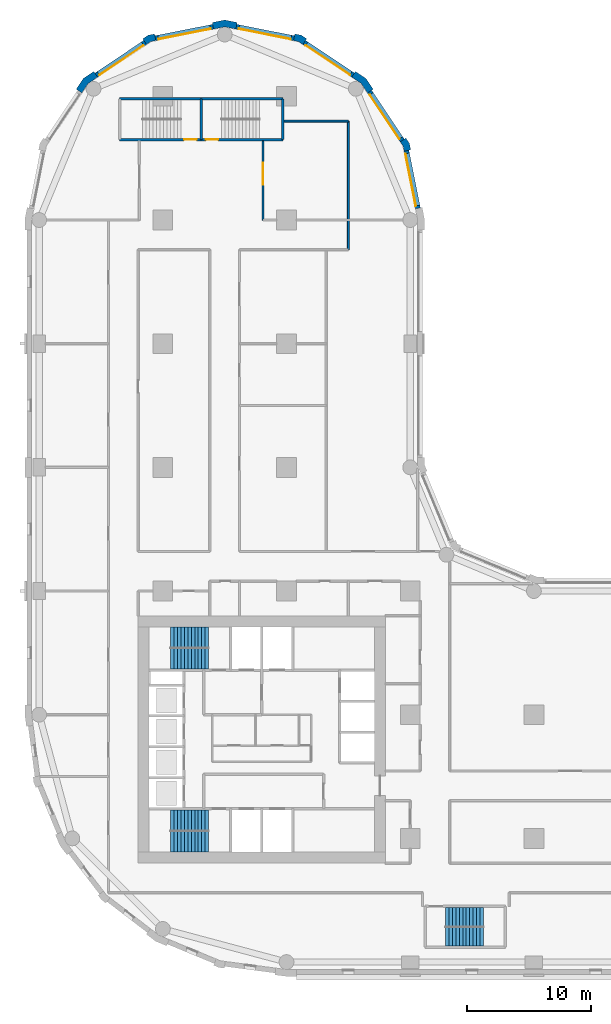
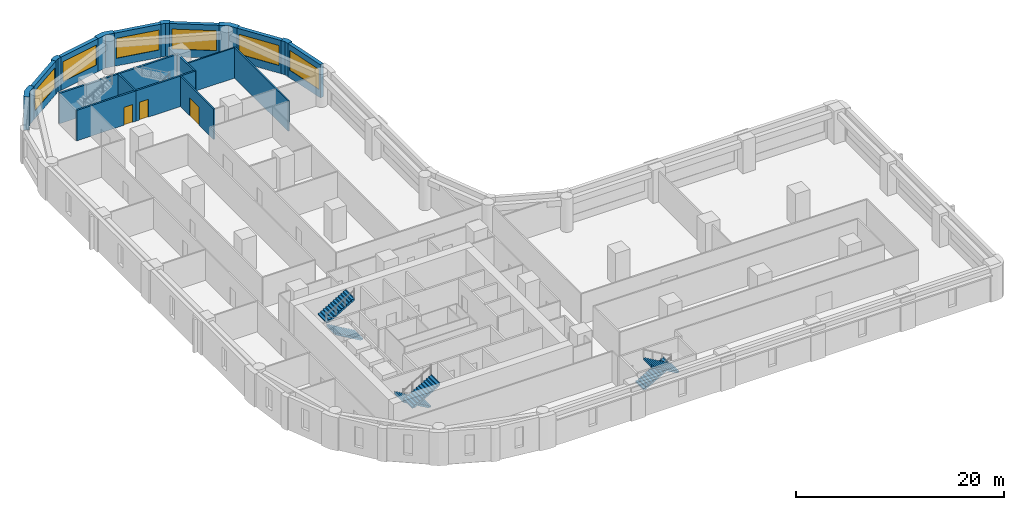
# One storey, part 7 of 10: 21 walls, 6 stair flights, 6 windows, 3 doors, 9 openings, 3 elements without a shape of their own.
"""IFC4 building model written with IfcOpenShell, lengths in metres."""

from ifc_helpers import new_model, si_unit, direction, frame, frame_2d, origin, place, context, subcontext, project, spatial, polyline, rectangle, outline, extrude, material, layer, layer_set, type_object, element, fill, aggregate, save


model = new_model("IFC4")

# Units and contexts
model_context = context("Model", 3, precision=1e-05, world=origin(), true_north=direction((0.0, 1.0)))
body_context = subcontext(model_context, "Body", "Model", "MODEL_VIEW")
ifc_project = project(units=[si_unit("LENGTHUNIT", "METRE"), si_unit("AREAUNIT", "SQUARE_METRE"), si_unit("VOLUMEUNIT", "CUBIC_METRE"), si_unit("PLANEANGLEUNIT", "RADIAN"), si_unit("MASSUNIT", "GRAM", prefix="KILO")], contexts=[model_context])

# Site, building, storey
site_placement = place(None, origin())
site = spatial("IfcSite", under=ifc_project, at=site_placement, CompositionType="ELEMENT")
building_placement = place(site_placement, origin())
building = spatial("IfcBuilding", under=site, at=building_placement, Name="Qaws Garden Tower", CompositionType="ELEMENT")
storey_placement = place(building_placement, frame((0.0, 0.0, 58.800048828125)))
storey = spatial("IfcBuildingStorey", under=building, at=storey_placement, Name="L14", CompositionType="ELEMENT", Elevation=58.800048828125)

# Wall, opening, window
ifc_material_1 = material(Name="Clay facing brick masonry", Category="masonry")
ifc_layer_1 = layer(ifc_material_1, 0.39990234375)
ifc_layer_set_1 = layer_set([ifc_layer_1], Name="Clay facing brick masonry")
wall_type_1 = type_object("IfcWallType", Name="Brick infill wall 400", PredefinedType="SOLIDWALL", material=ifc_layer_set_1)
wall_1_placement = place(storey_placement, frame((30.628662109375, 60.940673828125, 0.0), z_axis=(0.0, 0.0, 1.0), x_axis=(-0.195098533057, 0.98078364709, 0.0)))
wall_1 = element("IfcWall", 1, at=wall_1_placement, inside=storey, type_object=wall_type_1, Name="E-L14-infill-15", PredefinedType="SOLIDWALL", context=body_context, shape_type="SweptSolid", body=[
    extrude(rectangle(XDim=4.752685546875, YDim=0.39990234375, at=frame_2d((2.37646484375, 0.0))), origin(), (0.0, 0.0, 1.0), 3.89990234375),
])
opening_1_placement = place(wall_1_placement, frame((0.226318359375, 0.0, 0.89990234375)))
opening_1 = element("IfcOpeningElement", 2, at=opening_1_placement, cuts=wall_1, Name="Opening W06", PredefinedType="OPENING", context=body_context, shape_type="SweptSolid", body=[
    extrude(rectangle(XDim=4.300048828125, YDim=2.35009765625, at=frame_2d((2.14990234375, 1.175048828125))), frame((0.0, 0.2099609375, 0.0), z_axis=(0.0, -1.0, 0.0), x_axis=(1.0, 0.0, 0.0)), (0.0, 0.0, 1.0), 0.419921875),
])
ifc_material_2 = material(Name="Aluminium framed window, clear glazing", Category="aluminium")
window_type = type_object("IfcWindowType", Name="Ribbon window 4300 x 2350", PartitioningType="DOUBLE_PANEL_VERTICAL", PredefinedType="WINDOW", material=ifc_material_2)
window_1_placement = place(opening_1_placement, origin())
window_1 = element("IfcWindow", 3, at=window_1_placement, inside=storey, type_object=window_type, Name="E-L14-window-15-0", OverallHeight=2.35009765625, OverallWidth=4.300048828125, PartitioningType="SINGLE_PANEL", PredefinedType="WINDOW", context=body_context, shape_type="SweptSolid", body=[
    extrude(rectangle(XDim=4.300048828125, YDim=2.35009765625, at=frame_2d((2.14990234375, 1.175048828125))), frame((0.0, 0.159912109375, 0.0), z_axis=(0.0, -1.0, 0.0), x_axis=(1.0, 0.0, 0.0)), (0.0, 0.0, 1.0), 0.06005859375),
])
fill(opening_1, window_1)

wall_2_placement = place(storey_placement, frame((29.356689453125, 66.43408203125, 0.0), z_axis=(0.0, 0.0, 1.0), x_axis=(-0.555541552266, 0.831488775454, 0.0)))
wall_2 = element("IfcWall", 4, at=wall_2_placement, inside=storey, type_object=wall_type_1, Name="E-L14-infill-16", PredefinedType="SOLIDWALL", context=body_context, shape_type="SweptSolid", body=[
    extrude(rectangle(XDim=4.752685546875, YDim=0.39990234375, at=frame_2d((2.37646484375, 0.0))), origin(), (0.0, 0.0, 1.0), 3.89990234375),
])
opening_2_placement = place(wall_2_placement, frame((0.226318359375, 0.0, 0.89990234375)))
opening_2 = element("IfcOpeningElement", 5, at=opening_2_placement, cuts=wall_2, Name="Opening W06", PredefinedType="OPENING", context=body_context, shape_type="SweptSolid", body=[
    extrude(rectangle(XDim=4.300048828125, YDim=2.35009765625, at=frame_2d((2.14990234375, 1.175048828125))), frame((0.0, 0.2099609375, 0.0), z_axis=(0.0, -1.0, 0.0), x_axis=(1.0, 0.0, 0.0)), (0.0, 0.0, 1.0), 0.419921875),
])
window_2_placement = place(opening_2_placement, origin())
window_2 = element("IfcWindow", 6, at=window_2_placement, inside=storey, type_object=window_type, Name="E-L14-window-16-0", OverallHeight=2.35009765625, OverallWidth=4.300048828125, PartitioningType="SINGLE_PANEL", PredefinedType="WINDOW", context=body_context, shape_type="SweptSolid", body=[
    extrude(rectangle(XDim=4.300048828125, YDim=2.35009765625, at=frame_2d((2.14990234375, 1.175048828125))), frame((0.0, 0.159912109375, 0.0), z_axis=(0.0, -1.0, 0.0), x_axis=(1.0, 0.0, 0.0)), (0.0, 0.0, 1.0), 0.06005859375),
])
fill(opening_2, window_2)

wall_3_placement = place(storey_placement, frame((25.385986328125, 71.71630859375, 0.0), z_axis=(0.0, 0.0, 1.0), x_axis=(-0.831488775454, 0.555541552266, 0.0)))
wall_3 = element("IfcWall", 7, at=wall_3_placement, inside=storey, type_object=wall_type_1, Name="E-L14-infill-17", PredefinedType="SOLIDWALL", context=body_context, shape_type="SweptSolid", body=[
    extrude(rectangle(XDim=4.752685546875, YDim=0.39990234375, at=frame_2d((2.37646484375, 0.0))), origin(), (0.0, 0.0, 1.0), 3.89990234375),
])
opening_3_placement = place(wall_3_placement, frame((0.226318359375, 0.0, 0.89990234375)))
opening_3 = element("IfcOpeningElement", 8, at=opening_3_placement, cuts=wall_3, Name="Opening W06", PredefinedType="OPENING", context=body_context, shape_type="SweptSolid", body=[
    extrude(rectangle(XDim=4.300048828125, YDim=2.35009765625, at=frame_2d((2.14990234375, 1.175048828125))), frame((0.0, 0.2099609375, 0.0), z_axis=(0.0, -1.0, 0.0), x_axis=(1.0, 0.0, 0.0)), (0.0, 0.0, 1.0), 0.419921875),
])
window_3_placement = place(opening_3_placement, origin())
window_3 = element("IfcWindow", 9, at=window_3_placement, inside=storey, type_object=window_type, Name="E-L14-window-17-0", OverallHeight=2.35009765625, OverallWidth=4.300048828125, PartitioningType="SINGLE_PANEL", PredefinedType="WINDOW", context=body_context, shape_type="SweptSolid", body=[
    extrude(rectangle(XDim=4.300048828125, YDim=2.35009765625, at=frame_2d((2.14990234375, 1.175048828125))), frame((0.0, 0.159912109375, 0.0), z_axis=(0.0, -1.0, 0.0), x_axis=(1.0, 0.0, 0.0)), (0.0, 0.0, 1.0), 0.06005859375),
])
fill(opening_3, window_3)

wall_4_placement = place(storey_placement, frame((20.60205078125, 74.701416015625, 0.0), z_axis=(0.0, 0.0, 1.0), x_axis=(-0.98078364709, 0.195098533057, 0.0)))
wall_4 = element("IfcWall", 10, at=wall_4_placement, inside=storey, type_object=wall_type_1, Name="E-L14-infill-18", PredefinedType="SOLIDWALL", context=body_context, shape_type="SweptSolid", body=[
    extrude(rectangle(XDim=4.752685546875, YDim=0.39990234375, at=frame_2d((2.37646484375, 0.0))), origin(), (0.0, 0.0, 1.0), 3.89990234375),
])
opening_4_placement = place(wall_4_placement, frame((0.226318359375, 0.0, 0.89990234375)))
opening_4 = element("IfcOpeningElement", 11, at=opening_4_placement, cuts=wall_4, Name="Opening W06", PredefinedType="OPENING", context=body_context, shape_type="SweptSolid", body=[
    extrude(rectangle(XDim=4.300048828125, YDim=2.35009765625, at=frame_2d((2.14990234375, 1.175048828125))), frame((0.0, 0.2099609375, 0.0), z_axis=(0.0, -1.0, 0.0), x_axis=(1.0, 0.0, 0.0)), (0.0, 0.0, 1.0), 0.419921875),
])
window_4_placement = place(opening_4_placement, origin())
window_4 = element("IfcWindow", 12, at=window_4_placement, inside=storey, type_object=window_type, Name="E-L14-window-18-0", OverallHeight=2.35009765625, OverallWidth=4.300048828125, PartitioningType="SINGLE_PANEL", PredefinedType="WINDOW", context=body_context, shape_type="SweptSolid", body=[
    extrude(rectangle(XDim=4.300048828125, YDim=2.35009765625, at=frame_2d((2.14990234375, 1.175048828125))), frame((0.0, 0.159912109375, 0.0), z_axis=(0.0, -1.0, 0.0), x_axis=(1.0, 0.0, 0.0)), (0.0, 0.0, 1.0), 0.06005859375),
])
fill(opening_4, window_4)

wall_5_placement = place(storey_placement, frame((14.059326171875, 75.628662109375, 0.0), z_axis=(0.0, 0.0, 1.0), x_axis=(-0.98078364709, -0.195098533057, 0.0)))
wall_5 = element("IfcWall", 13, at=wall_5_placement, inside=storey, type_object=wall_type_1, Name="E-L14-infill-19", PredefinedType="SOLIDWALL", context=body_context, shape_type="SweptSolid", body=[
    extrude(rectangle(XDim=4.752685546875, YDim=0.39990234375, at=frame_2d((2.37646484375, 0.0))), origin(), (0.0, 0.0, 1.0), 3.89990234375),
])
opening_5_placement = place(wall_5_placement, frame((0.226318359375, 0.0, 0.89990234375)))
opening_5 = element("IfcOpeningElement", 14, at=opening_5_placement, cuts=wall_5, Name="Opening W06", PredefinedType="OPENING", context=body_context, shape_type="SweptSolid", body=[
    extrude(rectangle(XDim=4.300048828125, YDim=2.35009765625, at=frame_2d((2.14990234375, 1.175048828125))), frame((0.0, 0.2099609375, 0.0), z_axis=(0.0, -1.0, 0.0), x_axis=(1.0, 0.0, 0.0)), (0.0, 0.0, 1.0), 0.419921875),
])
window_5_placement = place(opening_5_placement, origin())
window_5 = element("IfcWindow", 15, at=window_5_placement, inside=storey, type_object=window_type, Name="E-L14-window-19-0", OverallHeight=2.35009765625, OverallWidth=4.300048828125, PartitioningType="SINGLE_PANEL", PredefinedType="WINDOW", context=body_context, shape_type="SweptSolid", body=[
    extrude(rectangle(XDim=4.300048828125, YDim=2.35009765625, at=frame_2d((2.14990234375, 1.175048828125))), frame((0.0, 0.159912109375, 0.0), z_axis=(0.0, -1.0, 0.0), x_axis=(1.0, 0.0, 0.0)), (0.0, 0.0, 1.0), 0.06005859375),
])
fill(opening_5, window_5)

wall_6_placement = place(storey_placement, frame((8.56591796875, 74.356689453125, 0.0), z_axis=(0.0, 0.0, 1.0), x_axis=(-0.831488775454, -0.555541552266, 0.0)))
wall_6 = element("IfcWall", 16, at=wall_6_placement, inside=storey, type_object=wall_type_1, Name="E-L14-infill-20", PredefinedType="SOLIDWALL", context=body_context, shape_type="SweptSolid", body=[
    extrude(rectangle(XDim=4.752685546875, YDim=0.39990234375, at=frame_2d((2.37646484375, 0.0))), origin(), (0.0, 0.0, 1.0), 3.89990234375),
])
opening_6_placement = place(wall_6_placement, frame((0.226318359375, 0.0, 0.89990234375)))
opening_6 = element("IfcOpeningElement", 17, at=opening_6_placement, cuts=wall_6, Name="Opening W06", PredefinedType="OPENING", context=body_context, shape_type="SweptSolid", body=[
    extrude(rectangle(XDim=4.300048828125, YDim=2.35009765625, at=frame_2d((2.14990234375, 1.175048828125))), frame((0.0, 0.2099609375, 0.0), z_axis=(0.0, -1.0, 0.0), x_axis=(1.0, 0.0, 0.0)), (0.0, 0.0, 1.0), 0.419921875),
])
window_6_placement = place(opening_6_placement, origin())
window_6 = element("IfcWindow", 18, at=window_6_placement, inside=storey, type_object=window_type, Name="E-L14-window-20-0", OverallHeight=2.35009765625, OverallWidth=4.300048828125, PartitioningType="SINGLE_PANEL", PredefinedType="WINDOW", context=body_context, shape_type="SweptSolid", body=[
    extrude(rectangle(XDim=4.300048828125, YDim=2.35009765625, at=frame_2d((2.14990234375, 1.175048828125))), frame((0.0, 0.159912109375, 0.0), z_axis=(0.0, -1.0, 0.0), x_axis=(1.0, 0.0, 0.0)), (0.0, 0.0, 1.0), 0.06005859375),
])
fill(opening_6, window_6)

# Walls
ifc_material_3 = material(Name="Clay facing brick masonry", Category="masonry")
ifc_layer_2 = layer(ifc_material_3, 0.550048828125)
ifc_layer_set_2 = layer_set([ifc_layer_2], Name="Clay facing brick masonry")
wall_type_2 = type_object("IfcWallType", Name="Brick kink pier 550 x 600", PredefinedType="SOLIDWALL", material=ifc_layer_set_2)
placement = place(storey_placement, origin())
element("IfcWall", 19, at=placement, inside=storey, type_object=wall_type_2, Name="E-L14-pier-16", PredefinedType="SOLIDWALL", context=body_context, shape_type="SweptSolid", body=[
    extrude(outline(polyline([(29.8974609375, 65.64111328125), (30.044677734375, 65.67041015625), (29.94140625, 66.18896484375), (29.647705078125, 66.628662109375), (29.52294921875, 66.545166015625), (29.1904296875, 66.322998046875), (29.42333984375, 65.974365234375), (29.505126953125, 65.56298828125), (29.8974609375, 65.64111328125)])), origin(), (0.0, 0.0, 1.0), 3.89990234375),
])
element("IfcWall", 20, at=placement, inside=storey, type_object=wall_type_2, Name="E-L14-pier-18", PredefinedType="SOLIDWALL", context=body_context, shape_type="SweptSolid", body=[
    extrude(outline(polyline([(21.545166015625, 74.52294921875), (21.628662109375, 74.647705078125), (21.18896484375, 74.94140625), (20.67041015625, 75.044677734375), (20.64111328125, 74.8974609375), (20.56298828125, 74.505126953125), (20.974365234375, 74.42333984375), (21.322998046875, 74.1904296875), (21.545166015625, 74.52294921875)])), origin(), (0.0, 0.0, 1.0), 3.89990234375),
])
element("IfcWall", 21, at=placement, inside=storey, type_object=wall_type_2, Name="E-L14-pier-20", PredefinedType="SOLIDWALL", context=body_context, shape_type="SweptSolid", body=[
    extrude(outline(polyline([(9.35888671875, 74.8974609375), (9.32958984375, 75.044677734375), (8.81103515625, 74.94140625), (8.371337890625, 74.647705078125), (8.454833984375, 74.52294921875), (8.677001953125, 74.1904296875), (9.025634765625, 74.42333984375), (9.43701171875, 74.505126953125), (9.35888671875, 74.8974609375)])), origin(), (0.0, 0.0, 1.0), 3.89990234375),
])
ifc_material_4 = material(Name="Clay facing brick masonry", Category="masonry")
ifc_layer_3 = layer(ifc_material_4, 0.550048828125)
ifc_layer_set_3 = layer_set([ifc_layer_3], Name="Clay facing brick masonry")
wall_type_3 = type_object("IfcWallType", Name="Brick pier 550 x 1600", PredefinedType="SOLIDWALL", material=ifc_layer_set_3)
element("IfcWall", 22, at=placement, inside=storey, type_object=wall_type_3, Name="E-L14-pier-17", PredefinedType="SOLIDWALL", context=body_context, shape_type="SweptSolid", body=[
    extrude(outline(polyline([(26.882568359375, 70.4970703125), (27.00732421875, 70.580322265625), (26.435791015625, 71.435791015625), (25.580322265625, 72.00732421875), (25.4970703125, 71.882568359375), (25.274658203125, 71.550048828125), (26.0390625, 71.0390625), (26.550048828125, 70.274658203125), (26.882568359375, 70.4970703125)])), origin(), (0.0, 0.0, 1.0), 3.89990234375),
])
element("IfcWall", 23, at=placement, inside=storey, type_object=wall_type_3, Name="E-L14-pier-19", PredefinedType="SOLIDWALL", context=body_context, shape_type="SweptSolid", body=[
    extrude(outline(polyline([(15.979736328125, 75.82470703125), (16.009033203125, 75.971923828125), (15.0, 76.172607421875), (13.990966796875, 75.971923828125), (14.020263671875, 75.82470703125), (14.098388671875, 75.432373046875), (15.0, 75.61181640625), (15.901611328125, 75.432373046875), (15.979736328125, 75.82470703125)])), origin(), (0.0, 0.0, 1.0), 3.89990234375),
])
element("IfcWall", 24, at=placement, inside=storey, type_object=wall_type_3, Name="E-L14-pier-21", PredefinedType="SOLIDWALL", context=body_context, shape_type="SweptSolid", body=[
    extrude(outline(polyline([(4.5029296875, 71.882568359375), (4.419677734375, 72.00732421875), (3.564208984375, 71.435791015625), (2.99267578125, 70.580322265625), (3.117431640625, 70.4970703125), (3.449951171875, 70.274658203125), (3.9609375, 71.0390625), (4.725341796875, 71.550048828125), (4.5029296875, 71.882568359375)])), origin(), (0.0, 0.0, 1.0), 3.89990234375),
])

# Wall, opening, door
ifc_material_5 = material(Name="Concrete C80", Category="concrete")
ifc_layer_4 = layer(ifc_material_5, 0.199951171875)
ifc_layer_set_4 = layer_set([ifc_layer_4], Name="Concrete C80")
wall_type_4 = type_object("IfcWallType", Name="Core shaft wall 200 C80", PredefinedType="SHEAR", material=ifc_layer_set_4)
wall_13_placement = place(storey_placement, frame((6.5, 66.5, 0.0), z_axis=(0.0, 0.0, 1.0), x_axis=(1.0, 0.0, 0.0)))
wall_13 = element("IfcWall", 25, at=wall_13_placement, inside=storey, type_object=wall_type_4, Name="Shaft wall", PredefinedType="SHEAR", context=body_context, shape_type="SweptSolid", body=[
    extrude(rectangle(XDim=6.60009765625, YDim=0.199951171875, at=frame_2d((3.300048828125, 0.0))), origin(), (0.0, 0.0, 1.0), 3.579833984375),
])
opening_7_placement = place(wall_13_placement, frame((5.22509765625, 0.0, 0.0)))
opening_7 = element("IfcOpeningElement", 26, at=opening_7_placement, cuts=wall_13, Name="Opening SD13", PredefinedType="OPENING", context=body_context, shape_type="SweptSolid", body=[
    extrude(rectangle(XDim=1.0, YDim=2.10009765625, at=frame_2d((0.5, 1.050048828125))), frame((0.0, 0.10986328125, 0.0), z_axis=(0.0, -1.0, 0.0), x_axis=(1.0, 0.0, 0.0)), (0.0, 0.0, 1.0), 0.219970703125),
])
ifc_material_6 = material(Name="Steel S235", Category="steel")
door_type_1 = type_object("IfcDoorType", Name="Stair door 1000x2100", OperationType="SINGLE_SWING_RIGHT", PredefinedType="DOOR", material=ifc_material_6)
door_1_placement = place(opening_7_placement, origin())
door_1 = element("IfcDoor", 27, at=door_1_placement, inside=storey, type_object=door_type_1, Name="Stair 6 door", OperationType="SINGLE_SWING_RIGHT", OverallHeight=2.10009765625, OverallWidth=1.0, PredefinedType="DOOR", context=body_context, shape_type="SweptSolid", body=[
    extrude(rectangle(XDim=1.0, YDim=2.10009765625, at=frame_2d((0.5, 1.050048828125))), frame((0.0, 0.02490234375, 0.0), z_axis=(0.0, -1.0, 0.0), x_axis=(1.0, 0.0, 0.0)), (0.0, 0.0, 1.0), 0.050048828125),
])
fill(opening_7, door_1)

wall_14_placement = place(storey_placement, frame((13.10009765625, 66.5, 0.0), z_axis=(0.0, 0.0, 1.0), x_axis=(1.0, 0.0, 0.0)))
wall_14 = element("IfcWall", 28, at=wall_14_placement, inside=storey, type_object=wall_type_4, Name="Shaft wall", PredefinedType="SHEAR", context=body_context, shape_type="SweptSolid", body=[
    extrude(rectangle(XDim=6.599853515625, YDim=0.199951171875, at=frame_2d((3.2998046875, 0.0))), origin(), (0.0, 0.0, 1.0), 3.579833984375),
])
opening_8_placement = place(wall_14_placement, frame((0.375, 0.0, 0.0)))
opening_8 = element("IfcOpeningElement", 29, at=opening_8_placement, cuts=wall_14, Name="Opening SD14", PredefinedType="OPENING", context=body_context, shape_type="SweptSolid", body=[
    extrude(rectangle(XDim=1.0, YDim=2.10009765625, at=frame_2d((0.5, 1.050048828125))), frame((0.0, 0.10986328125, 0.0), z_axis=(0.0, -1.0, 0.0), x_axis=(1.0, 0.0, 0.0)), (0.0, 0.0, 1.0), 0.219970703125),
])
door_2_placement = place(opening_8_placement, origin())
door_2 = element("IfcDoor", 30, at=door_2_placement, inside=storey, type_object=door_type_1, Name="Stair 7 door", OperationType="SINGLE_SWING_LEFT", OverallHeight=2.10009765625, OverallWidth=1.0, PredefinedType="DOOR", context=body_context, shape_type="SweptSolid", body=[
    extrude(rectangle(XDim=1.0, YDim=2.10009765625, at=frame_2d((0.5, 1.050048828125))), frame((0.0, 0.02490234375, 0.0), z_axis=(0.0, -1.0, 0.0), x_axis=(1.0, 0.0, 0.0)), (0.0, 0.0, 1.0), 0.050048828125),
])
fill(opening_8, door_2)

# Walls
wall_15_placement = place(storey_placement, frame((6.5, 69.800048828125, 0.0), z_axis=(0.0, 0.0, 1.0), x_axis=(1.0, 0.0, 0.0)))
element("IfcWall", 31, at=wall_15_placement, inside=storey, type_object=wall_type_4, Name="Shaft wall", PredefinedType="SHEAR", context=body_context, shape_type="SweptSolid", body=[
    extrude(rectangle(XDim=6.60009765625, YDim=0.199951171875, at=frame_2d((3.300048828125, 0.0))), origin(), (0.0, 0.0, 1.0), 3.579833984375),
])
wall_16_placement = place(storey_placement, frame((13.10009765625, 69.800048828125, 0.0), z_axis=(0.0, 0.0, 1.0), x_axis=(1.0, 0.0, 0.0)))
element("IfcWall", 32, at=wall_16_placement, inside=storey, type_object=wall_type_4, Name="Shaft wall", PredefinedType="SHEAR", context=body_context, shape_type="SweptSolid", body=[
    extrude(rectangle(XDim=6.599853515625, YDim=0.199951171875, at=frame_2d((3.2998046875, 0.0))), origin(), (0.0, 0.0, 1.0), 3.579833984375),
])
for number, where, z_axis, x_axis, name in (
    (33, (13.10009765625, 66.5, 0.0), (0.0, 0.0, 1.0), (0.0, 1.0, 0.0), "Shaft wall"),
    (34, (19.699951171875, 66.5, 0.0), (0.0, 0.0, 1.0), (0.0, 1.0, 0.0), "Shaft wall"),
):
    element("IfcWall", number, at=place(storey_placement, frame(where, z_axis=z_axis, x_axis=x_axis)), inside=storey, type_object=wall_type_4, Name=name, PredefinedType="SHEAR", context=body_context, shape_type="SweptSolid", body=[
        extrude(rectangle(XDim=3.300048828125, YDim=0.199951171875, at=frame_2d((1.64990234375, 0.0))), origin(), (0.0, 0.0, 1.0), 3.579833984375),
    ])

# Wall, opening, door
ifc_material_7 = material(Name="Gypsum board partition")
ifc_layer_5 = layer(ifc_material_7, 0.14990234375)
ifc_layer_set_5 = layer_set([ifc_layer_5], Name="Gypsum board partition")
wall_type_5 = type_object("IfcWallType", Name="PARTITION 150 EI 60", PredefinedType="PARTITIONING", material=ifc_layer_set_5)
wall_17_placement = place(storey_placement, frame((18.10009765625, 60.0, 0.0), z_axis=(0.0, 0.0, 1.0), x_axis=(0.0, 1.0, 0.0)))
wall_17 = element("IfcWall", 35, at=wall_17_placement, inside=storey, type_object=wall_type_5, Name="O-L14-wall-009", PredefinedType="PARTITIONING", context=body_context, shape_type="SweptSolid", body=[
    extrude(rectangle(XDim=6.39990234375, YDim=0.14990234375, at=frame_2d((3.199951171875, 0.0))), origin(), (0.0, 0.0, 1.0), 3.579833984375),
])
opening_9_placement = place(wall_17_placement, frame((2.85009765625, 0.0, 0.0)))
opening_9 = element("IfcOpeningElement", 36, at=opening_9_placement, cuts=wall_17, Name="Opening A515", PredefinedType="OPENING", context=body_context, shape_type="SweptSolid", body=[
    extrude(rectangle(XDim=1.800048828125, YDim=2.10009765625, at=frame_2d((0.89990234375, 1.050048828125))), frame((0.0, 0.0849609375, 0.0), z_axis=(0.0, -1.0, 0.0), x_axis=(1.0, 0.0, 0.0)), (0.0, 0.0, 1.0), 0.169921875),
])
ifc_material_8 = material(Name="Timber door leaf", Category="wood")
door_type_2 = type_object("IfcDoorType", Name="DOUBLE DOOR 1800 X 2100", OperationType="DOUBLE_DOOR_SINGLE_SWING", PredefinedType="DOOR", material=ifc_material_8)
door_3_placement = place(opening_9_placement, frame((1.800048828125, 0.0, 0.0), z_axis=(0.0, 0.0, 1.0), x_axis=(-1.0, 0.0, 0.0)))
door_3 = element("IfcDoor", 37, at=door_3_placement, inside=storey, type_object=door_type_2, Name="O-L14-door-015", OperationType="DOUBLE_DOOR_SINGLE_SWING", OverallHeight=2.10009765625, OverallWidth=1.800048828125, PredefinedType="DOOR", context=body_context, shape_type="SweptSolid", body=[
    extrude(rectangle(XDim=1.800048828125, YDim=2.10009765625, at=frame_2d((0.89990234375, 1.050048828125))), frame((0.0, 0.02490234375, 0.0), z_axis=(0.0, -1.0, 0.0), x_axis=(1.0, 0.0, 0.0)), (0.0, 0.0, 1.0), 0.050048828125),
])
fill(opening_9, door_3)

# Walls
wall_18_placement = place(storey_placement, frame((25.0, 57.60009765625, 0.0), z_axis=(0.0, 0.0, 1.0), x_axis=(0.0, 1.0, 0.0)))
element("IfcWall", 38, at=wall_18_placement, inside=storey, type_object=wall_type_5, Name="O-L14-wall-012", PredefinedType="PARTITIONING", context=body_context, shape_type="SweptSolid", body=[
    extrude(rectangle(XDim=10.39990234375, YDim=0.14990234375, at=frame_2d((5.199951171875, 0.0))), origin(), (0.0, 0.0, 1.0), 3.579833984375),
])
wall_19_placement = place(storey_placement, frame((19.800048828125, 68.0, 0.0), z_axis=(0.0, 0.0, 1.0), x_axis=(1.0, 0.0, 0.0)))
element("IfcWall", 39, at=wall_19_placement, inside=storey, type_object=wall_type_5, Name="O-L14-wall-056", PredefinedType="PARTITIONING", context=body_context, shape_type="SweptSolid", body=[
    extrude(rectangle(XDim=5.199951171875, YDim=0.14990234375, at=frame_2d((2.60009765625, 0.0))), origin(), (0.0, 0.0, 1.0), 3.579833984375),
])

# Stair, stair flights
ifc_material_9 = material(Name="Concrete C40", Category="concrete")
stair_type_1 = type_object("IfcStairType", Name="Exit stair 1350", PredefinedType="HALF_TURN_STAIR", material=ifc_material_9)
stair_1 = element("IfcStair", 40, at=placement, inside=storey, type_object=stair_type_1, Name="Stair 5", PredefinedType="HALF_TURN_STAIR")
ifc_material_10 = material(Name="Concrete C40", Category="concrete")
stair_flight_type_1 = type_object("IfcStairFlightType", Name="Stair flight 1350", PredefinedType="STRAIGHT", material=ifc_material_10)
stair_flight_1_placement = place(storey_placement, frame((32.85009765625, 3.625, 0.0), z_axis=(0.0, 0.0, 1.0), x_axis=(1.0, 0.0, 0.0)))
stair_flight_1 = element("IfcStairFlight", 41, at=stair_flight_1_placement, type_object=stair_flight_type_1, Name="ST5 flight 1", NumberOfRisers=12, NumberOfTreads=11, PredefinedType="STRAIGHT", RiserHeight=0.1625, TreadLength=0.28, context=body_context, shape_type="SweptSolid", body=[
    extrude(outline(polyline([(-0.0029296875, 0.0), (-0.0029296875, 0.16259765625), (0.0, 0.16259765625), (0.280029296875, 0.16259765625), (0.280029296875, 0.324951171875), (0.56005859375, 0.324951171875), (0.56005859375, 0.487548828125), (0.840087890625, 0.487548828125), (0.840087890625, 0.64990234375), (1.1201171875, 0.64990234375), (1.1201171875, 0.8125), (1.39990234375, 0.8125), (1.39990234375, 0.97509765625), (1.679931640625, 0.97509765625), (1.679931640625, 1.137451171875), (1.9599609375, 1.137451171875), (1.9599609375, 1.300048828125), (2.239990234375, 1.300048828125), (2.239990234375, 1.46240234375), (2.52001953125, 1.46240234375), (2.52001953125, 1.625), (2.800048828125, 1.625), (2.800048828125, 1.78759765625), (3.080078125, 1.78759765625), (3.080078125, 1.949951171875), (3.0830078125, 1.949951171875), (3.0830078125, 1.6142578125), (3.080078125, 1.6142578125), (0.298583984375, 0.0), (-0.0029296875, 0.0)])), frame((0.0, 0.77490234375, 0.0), z_axis=(0.0, -1.0, 0.0), x_axis=(1.0, 0.0, 0.0)), (0.0, 0.0, 1.0), 1.550048828125),
])
stair_flight_2_placement = place(storey_placement, frame((35.929931640625, 2.074951171875, 1.949951171875), z_axis=(0.0, 0.0, 1.0), x_axis=(-1.0, 0.0, 0.0)))
stair_flight_2 = element("IfcStairFlight", 42, at=stair_flight_2_placement, type_object=stair_flight_type_1, Name="ST5 flight 2", NumberOfRisers=12, NumberOfTreads=11, PredefinedType="STRAIGHT", RiserHeight=0.1625, TreadLength=0.28, context=body_context, shape_type="SweptSolid", body=[
    extrude(outline(polyline([(-0.0029296875, 0.0), (-0.0029296875, 0.16259765625), (0.0, 0.16259765625), (0.280029296875, 0.16259765625), (0.280029296875, 0.324951171875), (0.56005859375, 0.324951171875), (0.56005859375, 0.487548828125), (0.840087890625, 0.487548828125), (0.840087890625, 0.64990234375), (1.1201171875, 0.64990234375), (1.1201171875, 0.8125), (1.39990234375, 0.8125), (1.39990234375, 0.97509765625), (1.679931640625, 0.97509765625), (1.679931640625, 1.137451171875), (1.9599609375, 1.137451171875), (1.9599609375, 1.300048828125), (2.239990234375, 1.300048828125), (2.239990234375, 1.46240234375), (2.52001953125, 1.46240234375), (2.52001953125, 1.625), (2.800048828125, 1.625), (2.800048828125, 1.78759765625), (3.080078125, 1.78759765625), (3.080078125, 1.949951171875), (3.0830078125, 1.949951171875), (3.0830078125, 1.6142578125), (3.080078125, 1.6142578125), (0.298583984375, 0.0), (-0.0029296875, 0.0)])), frame((0.0, 0.77490234375, 0.0), z_axis=(0.0, -1.0, 0.0), x_axis=(1.0, 0.0, 0.0)), (0.0, 0.0, 1.0), 1.550048828125),
])
aggregate(stair_1, [stair_flight_1, stair_flight_2])

ifc_material_11 = material(Name="Concrete C40", Category="concrete")
stair_type_2 = type_object("IfcStairType", Name="Exit stair 1500", PredefinedType="HALF_TURN_STAIR", material=ifc_material_11)
stair_2 = element("IfcStair", 43, at=placement, inside=storey, type_object=stair_type_2, Name="Stair 1", PredefinedType="HALF_TURN_STAIR")
ifc_material_12 = material(Name="Concrete C40", Category="concrete")
stair_flight_type_2 = type_object("IfcStairFlightType", Name="Stair flight 1500", PredefinedType="STRAIGHT", material=ifc_material_12)
stair_flight_3_placement = place(storey_placement, frame((13.699951171875, 11.449951171875, 0.0), z_axis=(0.0, 0.0, 1.0), x_axis=(-1.0, 0.0, 0.0)))
stair_flight_3 = element("IfcStairFlight", 44, at=stair_flight_3_placement, type_object=stair_flight_type_2, Name="ST1 flight 1", NumberOfRisers=12, NumberOfTreads=11, PredefinedType="STRAIGHT", RiserHeight=0.1625, TreadLength=0.28, context=body_context, shape_type="SweptSolid", body=[
    extrude(outline(polyline([(-0.0029296875, 0.0), (-0.0029296875, 0.16259765625), (0.0, 0.16259765625), (0.280029296875, 0.16259765625), (0.280029296875, 0.324951171875), (0.56005859375, 0.324951171875), (0.56005859375, 0.487548828125), (0.840087890625, 0.487548828125), (0.840087890625, 0.64990234375), (1.1201171875, 0.64990234375), (1.1201171875, 0.8125), (1.39990234375, 0.8125), (1.39990234375, 0.97509765625), (1.679931640625, 0.97509765625), (1.679931640625, 1.137451171875), (1.9599609375, 1.137451171875), (1.9599609375, 1.300048828125), (2.239990234375, 1.300048828125), (2.239990234375, 1.46240234375), (2.52001953125, 1.46240234375), (2.52001953125, 1.625), (2.800048828125, 1.625), (2.800048828125, 1.78759765625), (3.080078125, 1.78759765625), (3.080078125, 1.949951171875), (3.0830078125, 1.949951171875), (3.0830078125, 1.6142578125), (3.080078125, 1.6142578125), (0.298583984375, 0.0), (-0.0029296875, 0.0)])), frame((0.0, 0.85009765625, 0.0), z_axis=(0.0, -1.0, 0.0), x_axis=(1.0, 0.0, 0.0)), (0.0, 0.0, 1.0), 1.699951171875),
])
stair_flight_4_placement = place(storey_placement, frame((10.6201171875, 9.75, 1.949951171875), z_axis=(0.0, 0.0, 1.0), x_axis=(1.0, 0.0, 0.0)))
stair_flight_4 = element("IfcStairFlight", 45, at=stair_flight_4_placement, type_object=stair_flight_type_2, Name="ST1 flight 2", NumberOfRisers=12, NumberOfTreads=11, PredefinedType="STRAIGHT", RiserHeight=0.1625, TreadLength=0.28, context=body_context, shape_type="SweptSolid", body=[
    extrude(outline(polyline([(-0.0029296875, 0.0), (-0.0029296875, 0.16259765625), (0.0, 0.16259765625), (0.280029296875, 0.16259765625), (0.280029296875, 0.324951171875), (0.56005859375, 0.324951171875), (0.56005859375, 0.487548828125), (0.840087890625, 0.487548828125), (0.840087890625, 0.64990234375), (1.1201171875, 0.64990234375), (1.1201171875, 0.8125), (1.39990234375, 0.8125), (1.39990234375, 0.97509765625), (1.679931640625, 0.97509765625), (1.679931640625, 1.137451171875), (1.9599609375, 1.137451171875), (1.9599609375, 1.300048828125), (2.239990234375, 1.300048828125), (2.239990234375, 1.46240234375), (2.52001953125, 1.46240234375), (2.52001953125, 1.625), (2.800048828125, 1.625), (2.800048828125, 1.78759765625), (3.080078125, 1.78759765625), (3.080078125, 1.949951171875), (3.0830078125, 1.949951171875), (3.0830078125, 1.6142578125), (3.080078125, 1.6142578125), (0.298583984375, 0.0), (-0.0029296875, 0.0)])), frame((0.0, 0.85009765625, 0.0), z_axis=(0.0, -1.0, 0.0), x_axis=(1.0, 0.0, 0.0)), (0.0, 0.0, 1.0), 1.699951171875),
])
aggregate(stair_2, [stair_flight_3, stair_flight_4])

stair_3 = element("IfcStair", 46, at=placement, inside=storey, type_object=stair_type_2, Name="Stair 4", PredefinedType="HALF_TURN_STAIR")
stair_flight_5_placement = place(storey_placement, frame((13.699951171875, 24.550048828125, 0.0), z_axis=(0.0, 0.0, 1.0), x_axis=(-1.0, 0.0, 0.0)))
stair_flight_5 = element("IfcStairFlight", 47, at=stair_flight_5_placement, type_object=stair_flight_type_2, Name="ST4 flight 1", NumberOfRisers=12, NumberOfTreads=11, PredefinedType="STRAIGHT", RiserHeight=0.1625, TreadLength=0.28, context=body_context, shape_type="SweptSolid", body=[
    extrude(outline(polyline([(-0.0029296875, 0.0), (-0.0029296875, 0.16259765625), (0.0, 0.16259765625), (0.280029296875, 0.16259765625), (0.280029296875, 0.324951171875), (0.56005859375, 0.324951171875), (0.56005859375, 0.487548828125), (0.840087890625, 0.487548828125), (0.840087890625, 0.64990234375), (1.1201171875, 0.64990234375), (1.1201171875, 0.8125), (1.39990234375, 0.8125), (1.39990234375, 0.97509765625), (1.679931640625, 0.97509765625), (1.679931640625, 1.137451171875), (1.9599609375, 1.137451171875), (1.9599609375, 1.300048828125), (2.239990234375, 1.300048828125), (2.239990234375, 1.46240234375), (2.52001953125, 1.46240234375), (2.52001953125, 1.625), (2.800048828125, 1.625), (2.800048828125, 1.78759765625), (3.080078125, 1.78759765625), (3.080078125, 1.949951171875), (3.0830078125, 1.949951171875), (3.0830078125, 1.6142578125), (3.080078125, 1.6142578125), (0.298583984375, 0.0), (-0.0029296875, 0.0)])), frame((0.0, 0.844970703125, 0.0), z_axis=(0.0, -1.0, 0.0), x_axis=(1.0, 0.0, 0.0)), (0.0, 0.0, 1.0), 1.68994140625),
])
stair_flight_6_placement = place(storey_placement, frame((10.6201171875, 26.25, 1.949951171875), z_axis=(0.0, 0.0, 1.0), x_axis=(1.0, 0.0, 0.0)))
stair_flight_6 = element("IfcStairFlight", 48, at=stair_flight_6_placement, type_object=stair_flight_type_2, Name="ST4 flight 2", NumberOfRisers=12, NumberOfTreads=11, PredefinedType="STRAIGHT", RiserHeight=0.1625, TreadLength=0.28, context=body_context, shape_type="SweptSolid", body=[
    extrude(outline(polyline([(-0.0029296875, 0.0), (-0.0029296875, 0.16259765625), (0.0, 0.16259765625), (0.280029296875, 0.16259765625), (0.280029296875, 0.324951171875), (0.56005859375, 0.324951171875), (0.56005859375, 0.487548828125), (0.840087890625, 0.487548828125), (0.840087890625, 0.64990234375), (1.1201171875, 0.64990234375), (1.1201171875, 0.8125), (1.39990234375, 0.8125), (1.39990234375, 0.97509765625), (1.679931640625, 0.97509765625), (1.679931640625, 1.137451171875), (1.9599609375, 1.137451171875), (1.9599609375, 1.300048828125), (2.239990234375, 1.300048828125), (2.239990234375, 1.46240234375), (2.52001953125, 1.46240234375), (2.52001953125, 1.625), (2.800048828125, 1.625), (2.800048828125, 1.78759765625), (3.080078125, 1.78759765625), (3.080078125, 1.949951171875), (3.0830078125, 1.949951171875), (3.0830078125, 1.6142578125), (3.080078125, 1.6142578125), (0.298583984375, 0.0), (-0.0029296875, 0.0)])), frame((0.0, 0.844970703125, 0.0), z_axis=(0.0, -1.0, 0.0), x_axis=(1.0, 0.0, 0.0)), (0.0, 0.0, 1.0), 1.68994140625),
])
aggregate(stair_3, [stair_flight_5, stair_flight_6])

save(model, "model.ifc")
